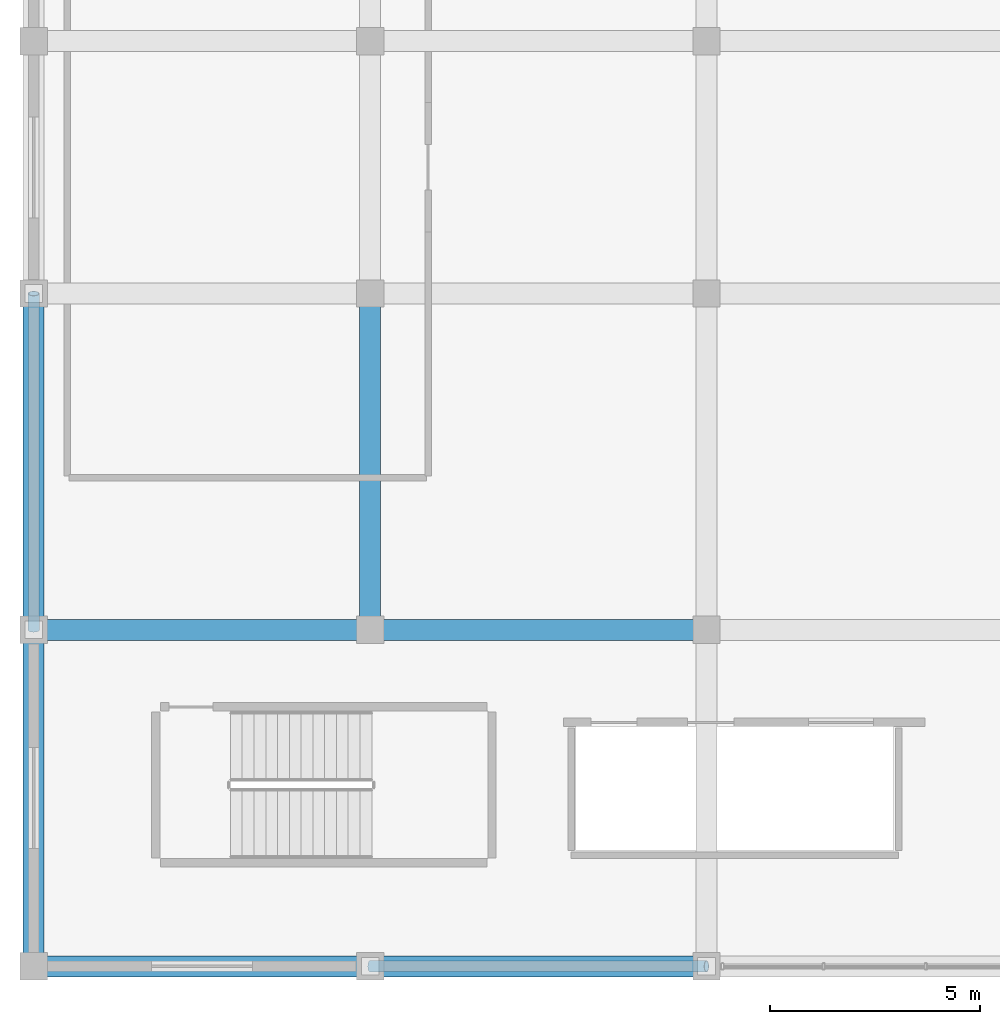
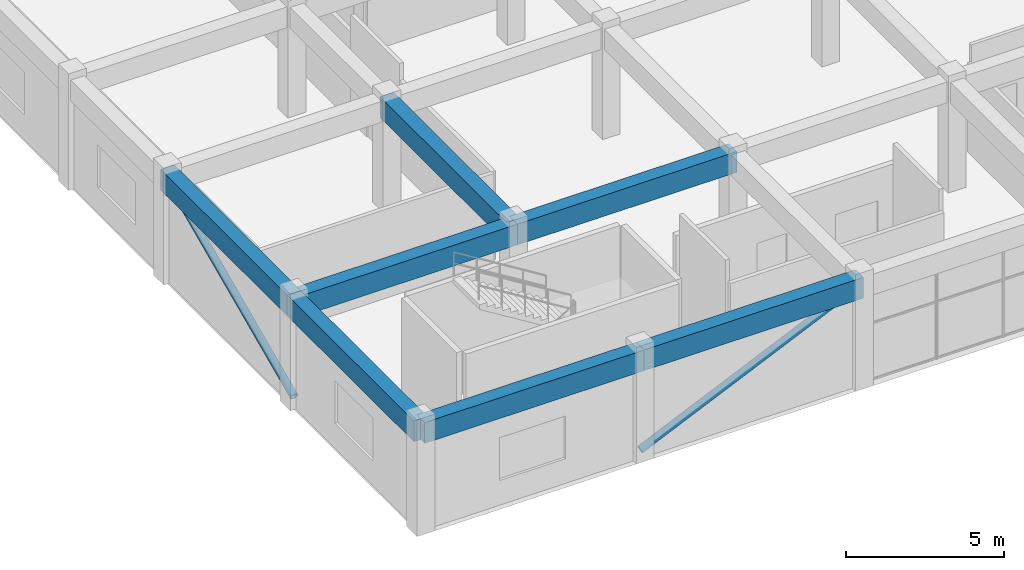
# One storey, part 5 of 52: 7 beams, 2 members.
"""IFC4 building model written with IfcOpenShell, lengths in metres."""

from ifc_helpers import new_model, si_unit, direction, frame, origin, origin_2d, place, context, subcontext, project, spatial, rectangle, hollow_circle, extrude, material, material_profile, profile_set, type_object, element, save


model = new_model("IFC4")

# Units and contexts
model_context = context("Model", 3, precision=1e-05, world=origin(), true_north=direction((0.0, 1.0)))
body_context = subcontext(model_context, "Body", "Model", "MODEL_VIEW")
ifc_project = project(units=[si_unit("LENGTHUNIT", "METRE"), si_unit("AREAUNIT", "SQUARE_METRE"), si_unit("VOLUMEUNIT", "CUBIC_METRE"), si_unit("PLANEANGLEUNIT", "RADIAN"), si_unit("MASSUNIT", "GRAM", prefix="KILO")], contexts=[model_context])

# Site, building, storey
site_placement = place(None, origin())
site = spatial("IfcSite", under=ifc_project, at=site_placement, CompositionType="ELEMENT")
building_placement = place(site_placement, origin())
building = spatial("IfcBuilding", under=site, at=building_placement, Name="Kelanora Arch Commons", CompositionType="ELEMENT")
storey_placement = place(building_placement, frame((0.0, 0.0, 13.5)))
storey = spatial("IfcBuildingStorey", under=building, at=storey_placement, Name="L03", CompositionType="ELEMENT", Elevation=13.5)

# Beams
ifc_material_1 = material(Name="Concrete C40/50", Category="concrete")
ifc_material_profile_1 = material_profile(ifc_material_1, rectangle(XDim=0.5, YDim=0.800048828125, at=origin_2d()), Name="RCB500x800")
ifc_profile_set_1 = profile_set([ifc_material_profile_1], Name="Concrete C40/50")
beam_type = type_object("IfcBeamType", Name="BM-MKT-RC1", PredefinedType="BEAM", material=ifc_profile_set_1)
for number, where, z_axis, x_axis, name in (
    (1, (4.0, 4.0, 3.840087890625), (1.0, 0.0, 0.0), (0.0, 1.0, 0.0), "Market/Basement Frame Beam 001 L03"),
    (2, (4.0, 4.0, 3.840087890625), (0.0, 1.0, 0.0), (-1.0, 0.0, 0.0), "Market/Basement Frame Beam 002 L03"),
    (3, (4.0, 12.0, 3.840087890625), (1.0, 0.0, 0.0), (0.0, 1.0, 0.0), "Market/Basement Frame Beam 003 L03"),
    (4, (4.0, 12.0, 3.840087890625), (0.0, 1.0, 0.0), (-1.0, 0.0, 0.0), "Market/Basement Frame Beam 004 L03"),
    (5, (12.0, 4.0, 3.840087890625), (1.0, 0.0, 0.0), (0.0, 1.0, 0.0), "Market/Basement Frame Beam 021 L03"),
    (6, (12.0, 12.0, 3.840087890625), (1.0, 0.0, 0.0), (0.0, 1.0, 0.0), "Market/Basement Frame Beam 022 L03"),
    (7, (12.0, 12.0, 3.840087890625), (0.0, 1.0, 0.0), (-1.0, 0.0, 0.0), "Market/Basement Frame Beam 023 L03"),
):
    element("IfcBeam", number, at=place(storey_placement, frame(where, z_axis=z_axis, x_axis=x_axis)), inside=storey, type_object=beam_type, Name=name, PredefinedType="BEAM", context=body_context, shape_type="SweptSolid", body=[
        extrude(rectangle(XDim=0.5, YDim=0.800048828125, at=origin_2d()), origin(), (0.0, 0.0, 1.0), 8.0),
    ])

# Members
ifc_material_2 = material(Name="Steel S355", Category="steel")
ifc_material_profile_2 = material_profile(ifc_material_2, hollow_circle(Radius=0.136474609375, WallThickness=0.012451171875, at=origin_2d()), Name="CHS273x12.5")
ifc_profile_set_2 = profile_set([ifc_material_profile_2], Name="Steel S355")
member_type = type_object("IfcMemberType", Name="MEM-MKT-BRACE", PredefinedType="BRACE", material=ifc_profile_set_2)
for number, where, z_axis, x_axis, name in (
    (8, (12.0, 4.0, 0.25), (0.91191733938, 0.0, 0.410373934525), (0.0, 1.0, 0.0), "Market Hall Lateral Brace 01 L03"),
    (9, (4.0, 12.0, 0.25), (0.0, 0.91191733938, 0.410373934525), (-1.0, 0.0, 0.0), "Market Hall Lateral Brace 03 L03"),
):
    element("IfcMember", number, at=place(storey_placement, frame(where, z_axis=z_axis, x_axis=x_axis)), inside=storey, type_object=member_type, Name=name, PredefinedType="BRACE", context=body_context, shape_type="SweptSolid", body=[
        extrude(hollow_circle(Radius=0.136474609375, WallThickness=0.012451171875, at=origin_2d()), origin(), (0.0, 0.0, 1.0), 8.772705078125),
    ])

save(model, "model.ifc")
